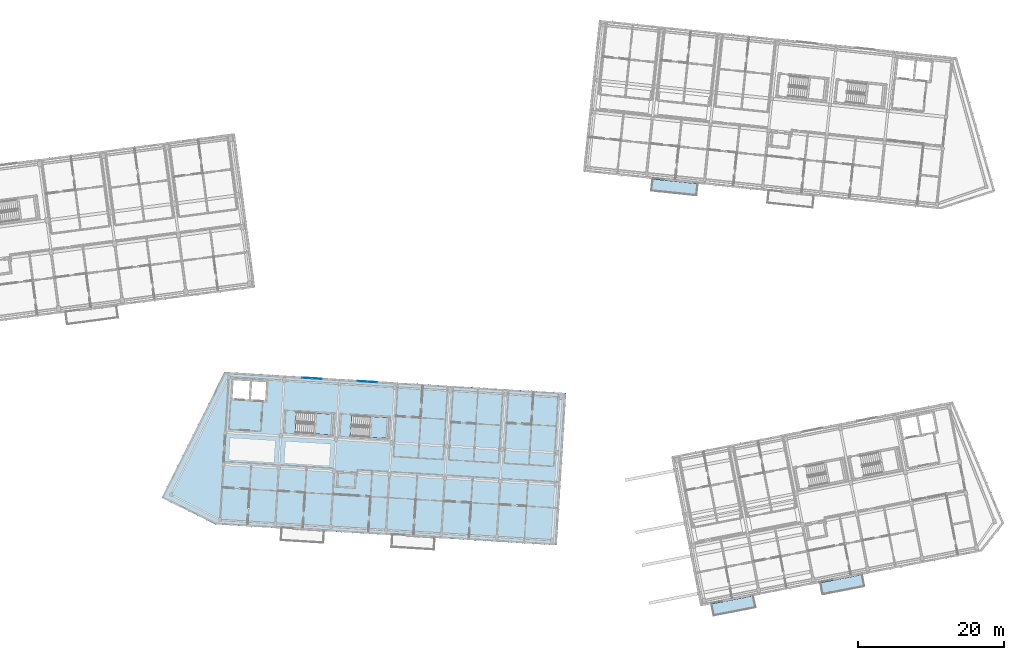
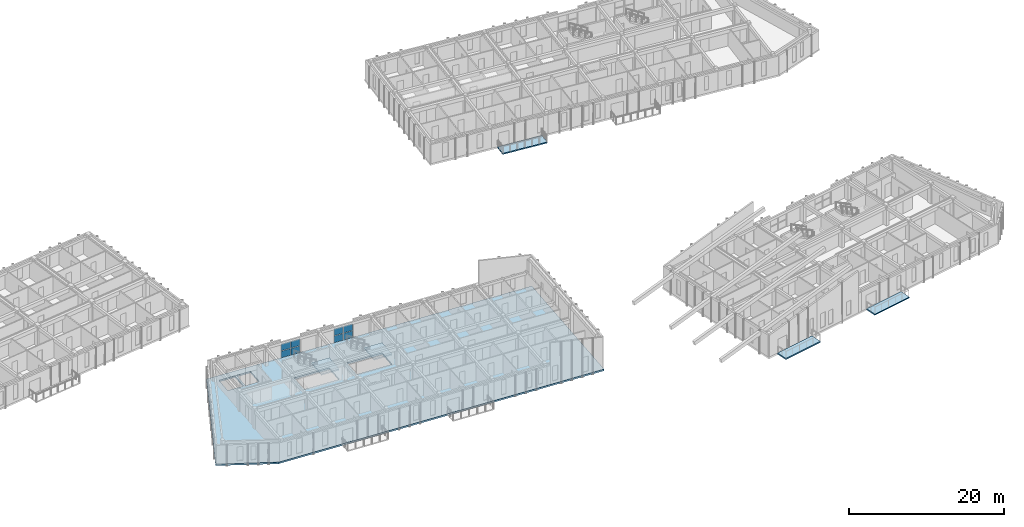
# One storey, part 18 of 64: 8 plates, 6 slabs, 4 elements without a shape of their own.
"""IFC4 building model written with IfcOpenShell, lengths in metres."""

from ifc_helpers import new_model, si_unit, direction, frame, origin, origin_2d, place, context, subcontext, project, spatial, polyline, rectangle, outline, extrude, material, layer, layer_set, type_object, element, aggregate, save


model = new_model("IFC4")

# Units and contexts
model_context = context("Model", 3, precision=1e-05, world=origin(), true_north=direction((0.0, 1.0)))
body_context = subcontext(model_context, "Body", "Model", "MODEL_VIEW")
ifc_project = project(units=[si_unit("LENGTHUNIT", "METRE"), si_unit("AREAUNIT", "SQUARE_METRE"), si_unit("VOLUMEUNIT", "CUBIC_METRE"), si_unit("PLANEANGLEUNIT", "RADIAN"), si_unit("MASSUNIT", "GRAM", prefix="KILO")], contexts=[model_context])

# Site, building, storey
site_placement = place(None, origin())
site = spatial("IfcSite", under=ifc_project, at=site_placement, CompositionType="ELEMENT")
building_placement = place(site_placement, origin())
building = spatial("IfcBuilding", under=site, at=building_placement, Name="Kestramere Prow Commons", CompositionType="ELEMENT")
storey_placement = place(building_placement, frame((0.0, 0.0, 24.64990234375)))
storey = spatial("IfcBuildingStorey", under=building, at=storey_placement, Name="L07", CompositionType="ELEMENT", Elevation=24.64990234375)

# Curtain wall, plates
ifc_material_1 = material(Name="Anodised Aluminium and Low-E Glass", Category="aluminium")
curtain_wall_type = type_object("IfcCurtainWallType", Name="CW-03 Glazed Curtain Wall 2830x2320", PredefinedType="USERDEFINED", material=ifc_material_1)
curtain_wall_1_placement = place(storey_placement, origin())
curtain_wall_1 = element("IfcCurtainWall", 1, at=curtain_wall_1_placement, inside=storey, type_object=curtain_wall_type, Name="Block C L07 Stairwell Vertical Glazing 2", ObjectType="GLAZED CURTAIN WALL", PredefinedType="USERDEFINED")
ifc_material_2 = material(Name="Low-E Laminated Double Glazing", Category="glass")
ifc_layer_1 = layer(ifc_material_2, 0.028076171875)
ifc_layer_set_1 = layer_set([ifc_layer_1], Name="Low-E Laminated Double Glazing")
plate_type = type_object("IfcPlateType", Name="CW-PNL-28", PredefinedType="CURTAIN_PANEL", material=ifc_layer_set_1)
plate_1_placement = place(storey_placement, frame((71.41748046875, 65.93359375, 0.065185546875), z_axis=(0.0, 0.0, 1.0), x_axis=(0.99813480569, -0.061048420708, 0.0)))
plate_1 = element("IfcPlate", 2, at=plate_1_placement, type_object=plate_type, Name="CW-03 panel 1.1", PredefinedType="CURTAIN_PANEL", context=body_context, shape_type="SweptSolid", body=[
    extrude(rectangle(XDim=1.3173828125, YDim=0.028076171875, at=origin_2d()), origin(), (0.0, 0.0, 1.0), 1.0625),
])
plate_2_placement = place(storey_placement, frame((71.41748046875, 65.93359375, 1.192626953125), z_axis=(0.0, 0.0, 1.0), x_axis=(0.99813480569, -0.061048420708, 0.0)))
plate_2 = element("IfcPlate", 3, at=plate_2_placement, type_object=plate_type, Name="CW-03 panel 1.2", PredefinedType="CURTAIN_PANEL", context=body_context, shape_type="SweptSolid", body=[
    extrude(rectangle(XDim=1.3173828125, YDim=0.028076171875, at=origin_2d()), origin(), (0.0, 0.0, 1.0), 1.0625),
])
plate_3_placement = place(storey_placement, frame((72.79736328125, 65.849365234375, 0.065185546875), z_axis=(0.0, 0.0, 1.0), x_axis=(0.99813480569, -0.061048420708, 0.0)))
plate_3 = element("IfcPlate", 4, at=plate_3_placement, type_object=plate_type, Name="CW-03 panel 2.1", PredefinedType="CURTAIN_PANEL", context=body_context, shape_type="SweptSolid", body=[
    extrude(rectangle(XDim=1.3173828125, YDim=0.028076171875, at=origin_2d()), origin(), (0.0, 0.0, 1.0), 1.0625),
])
plate_4_placement = place(storey_placement, frame((72.79736328125, 65.849365234375, 1.192626953125), z_axis=(0.0, 0.0, 1.0), x_axis=(0.99813480569, -0.061048420708, 0.0)))
plate_4 = element("IfcPlate", 5, at=plate_4_placement, type_object=plate_type, Name="CW-03 panel 2.2", PredefinedType="CURTAIN_PANEL", context=body_context, shape_type="SweptSolid", body=[
    extrude(rectangle(XDim=1.3173828125, YDim=0.028076171875, at=origin_2d()), origin(), (0.0, 0.0, 1.0), 1.0625),
])
aggregate(curtain_wall_1, [plate_1, plate_2, plate_3, plate_4])

curtain_wall_2_placement = place(storey_placement, origin())
curtain_wall_2 = element("IfcCurtainWall", 6, at=curtain_wall_2_placement, inside=storey, type_object=curtain_wall_type, Name="Block C L07 Stairwell Vertical Glazing 3", ObjectType="GLAZED CURTAIN WALL", PredefinedType="USERDEFINED")
plate_5_placement = place(storey_placement, frame((79.003173828125, 65.4697265625, 0.065185546875), z_axis=(0.0, 0.0, 1.0), x_axis=(0.998134807007, -0.061048399176, 0.0)))
plate_5 = element("IfcPlate", 7, at=plate_5_placement, type_object=plate_type, Name="CW-03 panel 1.1", PredefinedType="CURTAIN_PANEL", context=body_context, shape_type="SweptSolid", body=[
    extrude(rectangle(XDim=1.3173828125, YDim=0.028076171875, at=origin_2d()), origin(), (0.0, 0.0, 1.0), 1.0625),
])
plate_6_placement = place(storey_placement, frame((79.003173828125, 65.4697265625, 1.192626953125), z_axis=(0.0, 0.0, 1.0), x_axis=(0.998134807007, -0.061048399176, 0.0)))
plate_6 = element("IfcPlate", 8, at=plate_6_placement, type_object=plate_type, Name="CW-03 panel 1.2", PredefinedType="CURTAIN_PANEL", context=body_context, shape_type="SweptSolid", body=[
    extrude(rectangle(XDim=1.3173828125, YDim=0.028076171875, at=origin_2d()), origin(), (0.0, 0.0, 1.0), 1.0625),
])
plate_7_placement = place(storey_placement, frame((80.383056640625, 65.38525390625, 0.065185546875), z_axis=(0.0, 0.0, 1.0), x_axis=(0.998134807007, -0.061048399176, 0.0)))
plate_7 = element("IfcPlate", 9, at=plate_7_placement, type_object=plate_type, Name="CW-03 panel 2.1", PredefinedType="CURTAIN_PANEL", context=body_context, shape_type="SweptSolid", body=[
    extrude(rectangle(XDim=1.3173828125, YDim=0.028076171875, at=origin_2d()), origin(), (0.0, 0.0, 1.0), 1.0625),
])
plate_8_placement = place(storey_placement, frame((80.383056640625, 65.38525390625, 1.192626953125), z_axis=(0.0, 0.0, 1.0), x_axis=(0.998134807007, -0.061048399176, 0.0)))
plate_8 = element("IfcPlate", 10, at=plate_8_placement, type_object=plate_type, Name="CW-03 panel 2.2", PredefinedType="CURTAIN_PANEL", context=body_context, shape_type="SweptSolid", body=[
    extrude(rectangle(XDim=1.3173828125, YDim=0.028076171875, at=origin_2d()), origin(), (0.0, 0.0, 1.0), 1.0625),
])
aggregate(curtain_wall_2, [plate_5, plate_6, plate_7, plate_8])

# Slabs
ifc_material_3 = material(Name="Precast concrete C40/50", Category="concrete")
ifc_layer_2 = layer(ifc_material_3, 0.179931640625)
ifc_layer_set_2 = layer_set([ifc_layer_2], Name="Precast concrete C40/50")
slab_type_1 = type_object("IfcSlabType", Name="SL-BALC-180", PredefinedType="FLOOR", material=ifc_layer_set_2)
slab_1_placement = place(storey_placement, frame((0.0, 0.0, -0.179931640625)))
element("IfcSlab", 11, at=slab_1_placement, inside=storey, type_object=slab_type_1, Name="Block B L07 Apartment Balcony Slab 2", PredefinedType="FLOOR", context=body_context, shape_type="SweptSolid", body=[
    extrude(outline(polyline([(118.56103515625, 91.58740234375), (124.82666015625, 90.928955078125), (124.9990234375, 92.570068359375), (118.733642578125, 93.228515625), (118.56103515625, 91.58740234375)])), origin(), (0.0, 0.0, 1.0), 0.179931640625),
])
slab_2_placement = place(storey_placement, frame((0.0, 0.0, -0.179931640625)))
element("IfcSlab", 12, at=slab_2_placement, inside=storey, type_object=slab_type_1, Name="Block D L07 Apartment Balcony Slab 2", PredefinedType="FLOOR", context=body_context, shape_type="SweptSolid", body=[
    extrude(outline(polyline([(127.133544921875, 33.3544921875), (132.92529296875, 34.48046875), (132.6103515625, 36.10009765625), (126.81884765625, 34.974365234375), (127.133544921875, 33.3544921875)])), origin(), (0.0, 0.0, 1.0), 0.179931640625),
])
slab_3_placement = place(storey_placement, frame((0.0, 0.0, -0.179931640625)))
element("IfcSlab", 13, at=slab_3_placement, inside=storey, type_object=slab_type_1, Name="Block D L07 Apartment Balcony Slab 4", PredefinedType="FLOOR", context=body_context, shape_type="SweptSolid", body=[
    extrude(outline(polyline([(142.054443359375, 36.2548828125), (147.845947265625, 37.380615234375), (147.531005859375, 39.000244140625), (141.739501953125, 37.87451171875), (142.054443359375, 36.2548828125)])), origin(), (0.0, 0.0, 1.0), 0.179931640625),
])
ifc_layer_3 = layer(ifc_material_3, 0.25)
ifc_layer_set_3 = layer_set([ifc_layer_3], Name="Precast concrete C40/50")
slab_type_2 = type_object("IfcSlabType", Name="SL-HC-250", PredefinedType="FLOOR", material=ifc_layer_set_3)
slab_4_placement = place(storey_placement, frame((0.0, 0.0, -0.25)))
element("IfcSlab", 14, at=slab_4_placement, inside=storey, type_object=slab_type_2, Name="Block C L07 Hollowcore Floor Slab", PredefinedType="FLOOR", context=body_context, shape_type="SweptSolid", body=[
    extrude(outline(polyline([(51.52392578125, 49.5927734375), (58.8115234375, 45.890869140625), (105.6240234375, 43.02783203125), (106.89990234375, 63.888671875), (60.08740234375, 66.751953125), (51.52392578125, 49.5927734375)]), holes=[polyline([(61.168212890625, 63.129150390625), (63.464111328125, 62.98876953125), (63.61962890625, 65.533935546875), (61.323974609375, 65.67431640625), (61.168212890625, 63.129150390625)]), polyline([(63.713623046875, 62.973388671875), (65.709716796875, 62.851318359375), (65.865478515625, 65.396728515625), (63.869140625, 65.518798828125), (63.713623046875, 62.973388671875)]), polyline([(69.79833984375, 58.443603515625), (74.888916015625, 58.13232421875), (75.062744140625, 60.976806640625), (69.972412109375, 61.288330078125), (69.79833984375, 58.443603515625)]), polyline([(77.38427734375, 57.9794921875), (82.474609375, 57.668212890625), (82.648681640625, 60.512939453125), (77.55810546875, 60.82421875), (77.38427734375, 57.9794921875)])]), origin(), (0.0, 0.0, 1.0), 0.25),
])

# Stair, slab
ifc_material_4 = material(Name="Concrete C40/50", Category="concrete")
stair_type = type_object("IfcStairType", Name="ST-DOG-1350", PredefinedType="HALF_TURN_STAIR", material=ifc_material_4)
stair_1_placement = place(storey_placement, origin())
stair_1 = element("IfcStair", 15, at=stair_1_placement, inside=storey, type_object=stair_type, Name="L07 Block C Exit Stair 1", PredefinedType="HALF_TURN_STAIR")
ifc_layer_4 = layer(ifc_material_4, 0.199951171875)
ifc_layer_set_4 = layer_set([ifc_layer_4], Name="Concrete C40/50")
slab_type_3 = type_object("IfcSlabType", Name="SL-ST-LAND-200", PredefinedType="LANDING", material=ifc_layer_set_4)
slab_5_placement = place(storey_placement, frame((0.0, 0.0, 1.425048828125)))
slab_5 = element("IfcSlab", 16, at=slab_5_placement, type_object=slab_type_3, Name="ST-C1 landing 1", PredefinedType="LANDING", context=body_context, shape_type="SweptSolid", body=[
    extrude(outline(polyline([(72.313720703125, 58.289794921875), (74.888916015625, 58.13232421875), (75.062744140625, 60.976806640625), (72.487548828125, 61.134521484375), (72.313720703125, 58.289794921875)])), origin(), (0.0, 0.0, 1.0), 0.199951171875),
])
aggregate(stair_1, [slab_5])

stair_2_placement = place(storey_placement, origin())
stair_2 = element("IfcStair", 17, at=stair_2_placement, inside=storey, type_object=stair_type, Name="L07 Block C Exit Stair 2", PredefinedType="HALF_TURN_STAIR")
slab_6_placement = place(storey_placement, frame((0.0, 0.0, 1.425048828125)))
slab_6 = element("IfcSlab", 18, at=slab_6_placement, type_object=slab_type_3, Name="ST-C2 landing 1", PredefinedType="LANDING", context=body_context, shape_type="SweptSolid", body=[
    extrude(outline(polyline([(79.8994140625, 57.82568359375), (82.474609375, 57.668212890625), (82.648681640625, 60.512939453125), (80.073486328125, 60.67041015625), (79.8994140625, 57.82568359375)])), origin(), (0.0, 0.0, 1.0), 0.199951171875),
])
aggregate(stair_2, [slab_6])

save(model, "model.ifc")
